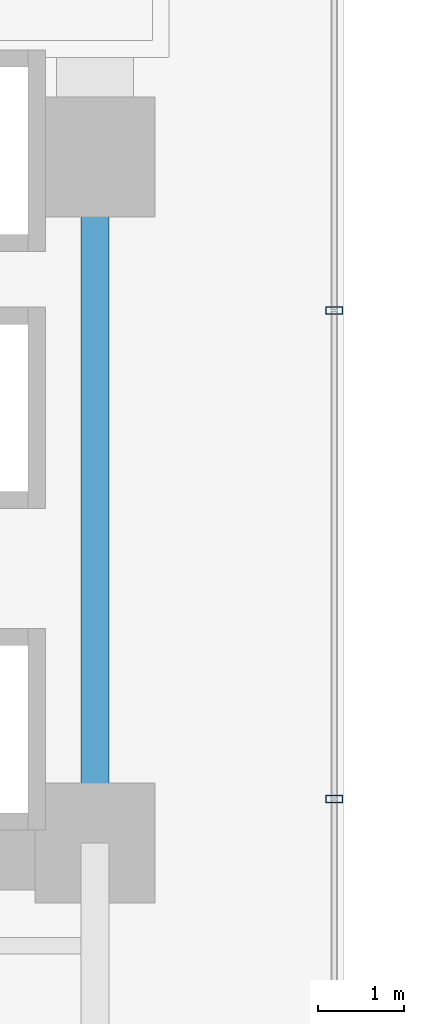
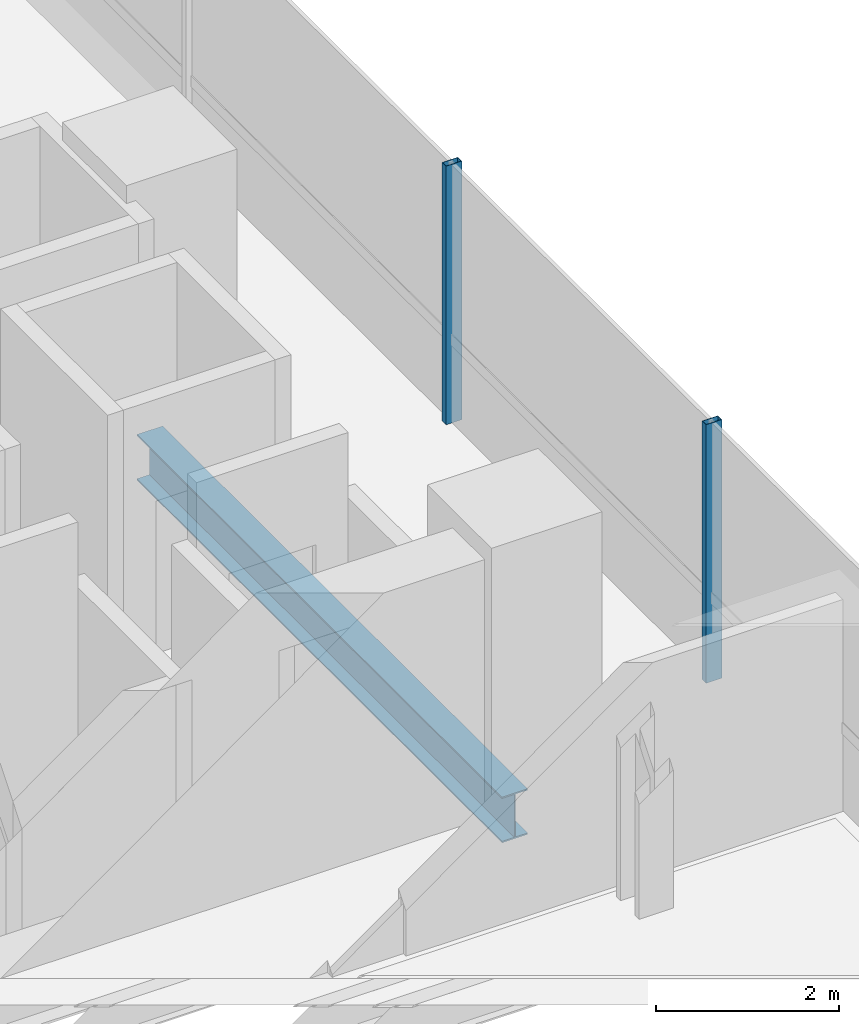
# One storey, part 6 of 39: 2 members, 1 beam, 1 element without a shape of its own.
"""IFC4 building model written with IfcOpenShell, lengths in metres."""

from ifc_helpers import new_model, si_unit, direction, frame, origin, origin_2d, place, context, subcontext, project, spatial, hollow_rectangle, i_section, extrude, source, transform, mapped, material, material_profile, profile_set, type_object, element, aggregate, save


model = new_model("IFC4")

# Units and contexts
model_context = context("Model", 3, precision=1e-05, world=origin(), true_north=direction((0.0, 1.0)))
body_context = subcontext(model_context, "Body", "Model", "MODEL_VIEW")
ifc_project = project(units=[si_unit("LENGTHUNIT", "METRE"), si_unit("AREAUNIT", "SQUARE_METRE"), si_unit("VOLUMEUNIT", "CUBIC_METRE"), si_unit("PLANEANGLEUNIT", "RADIAN"), si_unit("MASSUNIT", "GRAM", prefix="KILO")], contexts=[model_context])

# Site, building, storey
site_placement = place(None, origin())
site = spatial("IfcSite", under=ifc_project, at=site_placement, CompositionType="ELEMENT")
building_placement = place(site_placement, origin())
building = spatial("IfcBuilding", under=site, at=building_placement, Name="Valdorenza Pilgrim Sanctuary Tower", CompositionType="ELEMENT")
storey_placement = place(building_placement, frame((0.0, 0.0, 77.800048828125)))
storey = spatial("IfcBuildingStorey", under=building, at=storey_placement, Name="L19", CompositionType="ELEMENT", Elevation=77.800048828125)

# Beam
ifc_material_1 = material(Name="Steel ASTM A992 Grade 50", Category="steel")
ifc_material_profile_1 = material_profile(ifc_material_1, i_section(OverallWidth=0.323974609375, OverallDepth=0.611083984375, WebThickness=0.0126953125, FlangeThickness=0.01904296875, at=origin_2d()), Name="W24X104")
ifc_profile_set_1 = profile_set([ifc_material_profile_1], Name="Steel ASTM A992 Grade 50")
beam_type = type_object("IfcBeamType", Name="STR-BM-GRD-W24B", PredefinedType="BEAM", material=ifc_profile_set_1)
shared_shape_1 = source(origin(), body_context, "Body", "SweptSolid", [
    extrude(i_section(OverallWidth=0.323974609375, OverallDepth=0.611083984375, WebThickness=0.0126953125, FlangeThickness=0.01904296875, at=origin_2d()), origin(), (0.0, 0.0, 1.0), 8.0),
])
beam_placement = place(storey_placement, frame((-12.39990234375, -10.60009765625, -0.545654296875), z_axis=(0.0, 1.0, 0.0), x_axis=(-1.0, 0.0, 0.0)))
element("IfcBeam", 1, at=beam_placement, inside=storey, type_object=beam_type, Name="L19 Core Tie Girder CA-E-S1M0", PredefinedType="BEAM", context=body_context, shape_type="MappedRepresentation", body=[
    mapped(shared_shape_1, transform((0.0, 0.0, 0.0), x_axis=(1.0, 0.0, 0.0), y_axis=(0.0, 1.0, 0.0), z_axis=(0.0, 0.0, 1.0), scale=1.0)),
])

# Curtain wall, members
ifc_material_2 = material(Name="Curtain-wall IGU glazing", Category="glass")
curtain_wall_type = type_object("IfcCurtainWallType", Name="CW-SYS-02", PredefinedType="NOTDEFINED", material=ifc_material_2)
curtain_wall_placement = place(storey_placement, origin())
curtain_wall = element("IfcCurtainWall", 2, at=curtain_wall_placement, inside=storey, type_object=curtain_wall_type, Name="L19 Curtain Wall CW-L19-1-41", PredefinedType="NOTDEFINED")
ifc_material_3 = material(Name="Anodised aluminium AW-6060", Category="aluminium")
ifc_material_profile_2 = material_profile(ifc_material_3, hollow_rectangle(XDim=0.0849609375, YDim=0.199951171875, WallThickness=0.0048828125, at=origin_2d()), Name="ALU-M 200x85x5")
ifc_profile_set_2 = profile_set([ifc_material_profile_2], Name="Anodised aluminium AW-6060")
member_type = type_object("IfcMemberType", Name="CW-MUL-02", PredefinedType="MULLION", material=ifc_profile_set_2)
shared_shape_2 = source(origin(), body_context, "Body", "SweptSolid", [
    extrude(hollow_rectangle(XDim=0.0849609375, YDim=0.199951171875, WallThickness=0.0048828125, at=origin_2d()), origin(), (0.0, 0.0, 1.0), 3.4599609375),
])
member_1_placement = place(storey_placement, frame((-9.610107421875, -4.38916015625, 0.0), z_axis=(0.0, 0.0, 1.0), x_axis=(0.0, -1.0, 0.0)))
member_1 = element("IfcMember", 3, at=member_1_placement, type_object=member_type, Name="CW-L19-1-41 Mullion 3", PredefinedType="MULLION", context=body_context, shape_type="MappedRepresentation", body=[
    mapped(shared_shape_2, transform((0.0, 0.0, 0.0), x_axis=(1.0, 0.0, 0.0), y_axis=(0.0, 1.0, 0.0), z_axis=(0.0, 0.0, 1.0), scale=1.0)),
])
member_2_placement = place(storey_placement, frame((-9.610107421875, -10.089111328125, 0.0), z_axis=(0.0, 0.0, 1.0), x_axis=(0.0, -1.0, 0.0)))
member_2 = element("IfcMember", 4, at=member_2_placement, type_object=member_type, Name="CW-L19-1-41 Mullion 4", PredefinedType="MULLION", context=body_context, shape_type="MappedRepresentation", body=[
    mapped(shared_shape_2, transform((0.0, 0.0, 0.0), x_axis=(1.0, 0.0, 0.0), y_axis=(0.0, 1.0, 0.0), z_axis=(0.0, 0.0, 1.0), scale=1.0)),
])
aggregate(curtain_wall, [member_1, member_2])

save(model, "model.ifc")
